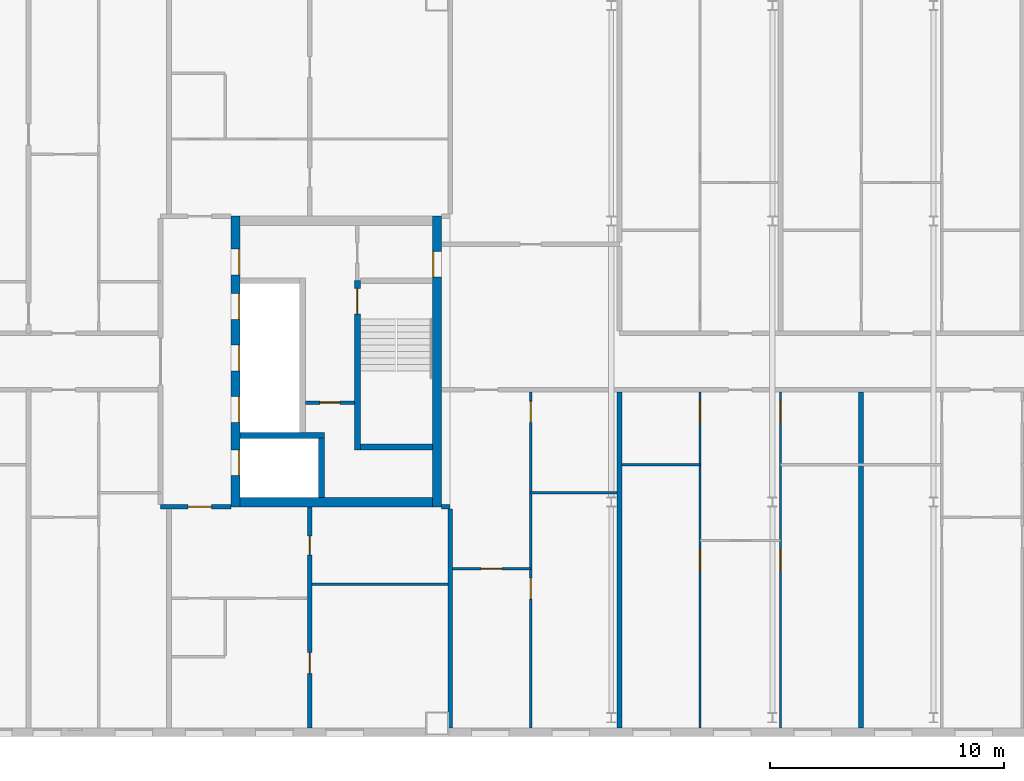
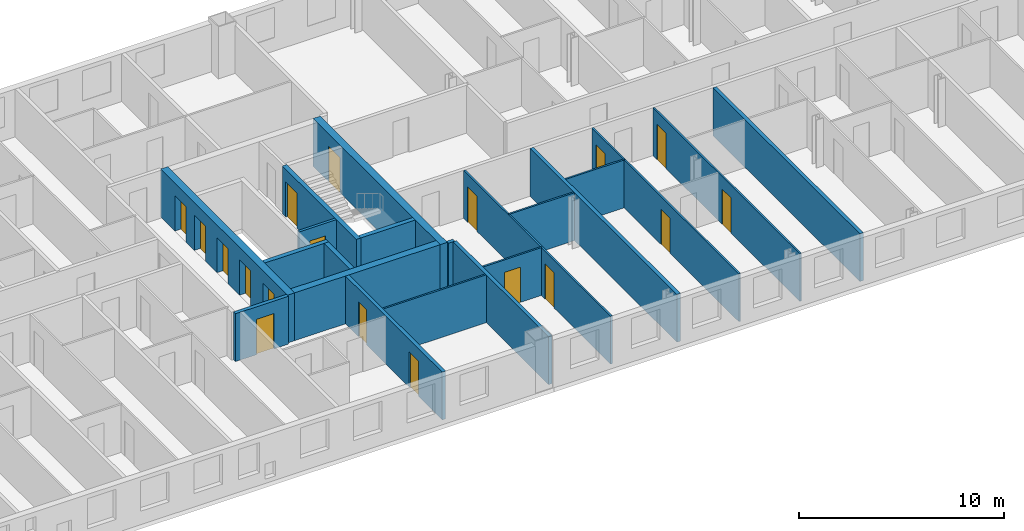
# One storey, part 8 of 19: 21 walls, 18 doors, 18 openings.
"""IFC4 building model written with IfcOpenShell, lengths in metres."""

from ifc_helpers import new_model, si_unit, direction, frame, frame_2d, origin, place, context, subcontext, project, spatial, rectangle, extrude, material, layer, layer_set, type_object, element, fill, save


model = new_model("IFC4")

# Units and contexts
model_context = context("Model", 3, precision=1e-05, world=origin(), true_north=direction((0.0, 1.0)))
body_context = subcontext(model_context, "Body", "Model", "MODEL_VIEW")
ifc_project = project(units=[si_unit("LENGTHUNIT", "METRE"), si_unit("AREAUNIT", "SQUARE_METRE"), si_unit("VOLUMEUNIT", "CUBIC_METRE"), si_unit("PLANEANGLEUNIT", "RADIAN"), si_unit("MASSUNIT", "GRAM", prefix="KILO")], contexts=[model_context])

# Site, building, storey
site_placement = place(None, origin())
site = spatial("IfcSite", under=ifc_project, at=site_placement, CompositionType="ELEMENT")
building_placement = place(site_placement, origin())
building = spatial("IfcBuilding", under=site, at=building_placement, Name="Tuart Gate Housing", CompositionType="ELEMENT")
storey_placement = place(building_placement, frame((0.0, 0.0, 224.5)))
storey = spatial("IfcBuildingStorey", under=building, at=storey_placement, Name="L63", CompositionType="ELEMENT", Elevation=224.5)

# Wall, opening, door
ifc_material_1 = material(Name="Plasterboard partition")
ifc_layer_1 = layer(ifc_material_1, 0.14990234375)
ifc_layer_set_1 = layer_set([ifc_layer_1], Name="Core partition 150")
wall_type_1 = type_object("IfcWallType", Name="Core partition 150", PredefinedType="PARTITIONING", material=ifc_layer_set_1)
wall_1_placement = place(storey_placement, frame((69.81494140625, 68.25, 0.0), z_axis=(0.0, 0.0, 1.0), x_axis=(1.0, 0.0, 0.0)))
wall_1 = element("IfcWall", 1, at=wall_1_placement, inside=storey, type_object=wall_type_1, Name="Core partition AG.3", PredefinedType="PARTITIONING", context=body_context, shape_type="SweptSolid", body=[
    extrude(rectangle(XDim=2.10009765625, YDim=0.14990234375, at=frame_2d((1.050048828125, 0.0))), origin(), (0.0, 0.0, 1.0), 2.85009765625),
])
opening_1_placement = place(wall_1_placement, frame((0.625, 0.0, 0.0)))
opening_1 = element("IfcOpeningElement", 2, at=opening_1_placement, cuts=wall_1, Name="Opening D2311", PredefinedType="OPENING", context=body_context, shape_type="SweptSolid", body=[
    extrude(rectangle(XDim=0.85009765625, YDim=2.10009765625, at=frame_2d((0.425048828125, 1.050048828125))), frame((0.0, 0.0849609375, 0.0), z_axis=(0.0, -1.0, 0.0), x_axis=(1.0, 0.0, 0.0)), (0.0, 0.0, 1.0), 0.169921875),
])
ifc_material_2 = material(Name="Steel fire door", Category="steel")
door_type_1 = type_object("IfcDoorType", Name="Riser door 850 x 2100 RH", OperationType="SINGLE_SWING_RIGHT", PredefinedType="DOOR", material=ifc_material_2)
door_1_placement = place(opening_1_placement, frame((0.85009765625, 0.0, 0.0), z_axis=(0.0, 0.0, 1.0), x_axis=(-1.0, 0.0, 0.0)))
door_1 = element("IfcDoor", 3, at=door_1_placement, inside=storey, type_object=door_type_1, Name="Service room door AG.E1", OperationType="SINGLE_SWING_RIGHT", OverallHeight=2.10009765625, OverallWidth=0.85009765625, PredefinedType="DOOR", context=body_context, shape_type="SweptSolid", body=[
    extrude(rectangle(XDim=0.85009765625, YDim=2.10009765625, at=frame_2d((0.425048828125, 1.050048828125))), frame((0.0, 0.025146484375, 0.0), z_axis=(0.0, -1.0, 0.0), x_axis=(1.0, 0.0, 0.0)), (0.0, 0.0, 1.0), 0.050048828125),
])
fill(opening_1, door_1)

# Walls
ifc_material_3 = material(Name="Concrete C40", Category="concrete")
ifc_layer_2 = layer(ifc_material_3, 0.25)
ifc_layer_set_2 = layer_set([ifc_layer_2], Name="Core wall 250 C40")
wall_type_2 = type_object("IfcWallType", Name="Core wall 250 C40", PredefinedType="SHEAR", material=ifc_layer_set_2)
wall_2_placement = place(storey_placement, frame((72.1650390625, 66.35009765625, 0.0), z_axis=(0.0, 0.0, 1.0), x_axis=(1.0, 0.0, 0.0)))
element("IfcWall", 4, at=wall_2_placement, inside=storey, type_object=wall_type_2, Name="Core wall AG.1", PredefinedType="SHEAR", context=body_context, shape_type="SweptSolid", body=[
    extrude(rectangle(XDim=3.074951171875, YDim=0.25, at=frame_2d((1.53759765625, 0.0))), origin(), (0.0, 0.0, 1.0), 2.85009765625),
])
wall_3_placement = place(storey_placement, frame((67.0400390625, 66.85009765625, 0.0), z_axis=(0.0, 0.0, 1.0), x_axis=(1.0, 0.0, 0.0)))
element("IfcWall", 5, at=wall_3_placement, inside=storey, type_object=wall_type_2, Name="Core wall AG.2", PredefinedType="SHEAR", context=body_context, shape_type="SweptSolid", body=[
    extrude(rectangle(XDim=3.594970703125, YDim=0.25, at=frame_2d((1.79736328125, 0.0))), origin(), (0.0, 0.0, 1.0), 2.85009765625),
])
wall_4_placement = place(storey_placement, frame((70.510009765625, 64.199951171875, 0.0), z_axis=(0.0, 0.0, 1.0), x_axis=(0.0, 1.0, 0.0)))
element("IfcWall", 6, at=wall_4_placement, inside=storey, type_object=wall_type_2, Name="Core wall AG.7", PredefinedType="SHEAR", context=body_context, shape_type="SweptSolid", body=[
    extrude(rectangle(XDim=2.525146484375, YDim=0.25, at=frame_2d((1.2626953125, 0.0))), origin(), (0.0, 0.0, 1.0), 2.85009765625),
])

# Wall, opening, door
wall_5_placement = place(storey_placement, frame((72.0400390625, 66.22509765625, 0.0), z_axis=(0.0, 0.0, 1.0), x_axis=(0.0, 1.0, 0.0)))
wall_5 = element("IfcWall", 7, at=wall_5_placement, inside=storey, type_object=wall_type_2, Name="Core wall AG.8", PredefinedType="SHEAR", context=body_context, shape_type="SweptSolid", body=[
    extrude(rectangle(XDim=7.224853515625, YDim=0.25, at=frame_2d((3.6123046875, 0.0))), origin(), (0.0, 0.0, 1.0), 2.85009765625),
])
opening_2_placement = place(wall_5_placement, frame((5.800048828125, 0.0, 0.0)))
opening_2 = element("IfcOpeningElement", 8, at=opening_2_placement, cuts=wall_5, Name="Opening D2307", PredefinedType="OPENING", context=body_context, shape_type="SweptSolid", body=[
    extrude(rectangle(XDim=1.10009765625, YDim=2.10009765625, at=frame_2d((0.550048828125, 1.050048828125))), frame((0.0, 0.135009765625, 0.0), z_axis=(0.0, -1.0, 0.0), x_axis=(1.0, 0.0, 0.0)), (0.0, 0.0, 1.0), 0.27001953125),
])
ifc_material_4 = material(Name="Steel fire door", Category="steel")
door_type_2 = type_object("IfcDoorType", Name="Stair door 1100 x 2100", OperationType="SINGLE_SWING_LEFT", PredefinedType="DOOR", material=ifc_material_4)
door_2_placement = place(opening_2_placement, frame((1.10009765625, 0.0, 0.0), z_axis=(0.0, 0.0, 1.0), x_axis=(-1.0, 0.0, 0.0)))
door_2 = element("IfcDoor", 9, at=door_2_placement, inside=storey, type_object=door_type_2, Name="Stair door AG.SD", OperationType="SINGLE_SWING_LEFT", OverallHeight=2.10009765625, OverallWidth=1.10009765625, PredefinedType="DOOR", context=body_context, shape_type="SweptSolid", body=[
    extrude(rectangle(XDim=1.10009765625, YDim=2.10009765625, at=frame_2d((0.550048828125, 1.050048828125))), frame((0.0, 0.025146484375, 0.0), z_axis=(0.0, -1.0, 0.0), x_axis=(1.0, 0.0, 0.0)), (0.0, 0.0, 1.0), 0.050048828125),
])
fill(opening_2, door_2)

# Wall, openings, doors
ifc_material_5 = material(Name="Concrete C40", Category="concrete")
ifc_layer_3 = layer(ifc_material_5, 0.39990234375)
ifc_layer_set_3 = layer_set([ifc_layer_3], Name="Core wall 400 C40")
wall_type_3 = type_object("IfcWallType", Name="Core wall 400 C40", PredefinedType="SHEAR", material=ifc_layer_set_3)
wall_6_placement = place(storey_placement, frame((66.840087890625, 63.800048828125, 0.0), z_axis=(0.0, 0.0, 1.0), x_axis=(0.0, 1.0, 0.0)))
wall_6 = element("IfcWall", 10, at=wall_6_placement, inside=storey, type_object=wall_type_3, Name="Core wall AG front", PredefinedType="SHEAR", context=body_context, shape_type="SweptSolid", body=[
    extrude(rectangle(XDim=12.39990234375, YDim=0.39990234375, at=frame_2d((6.199951171875, 0.0))), origin(), (0.0, 0.0, 1.0), 2.85009765625),
])
opening_3_placement = place(wall_6_placement, frame((1.324951171875, 0.0, 0.0)))
opening_3 = element("IfcOpeningElement", 11, at=opening_3_placement, cuts=wall_6, Name="Opening LD-FA1", PredefinedType="OPENING", context=body_context, shape_type="SweptSolid", body=[
    extrude(rectangle(XDim=1.10009765625, YDim=2.10009765625, at=frame_2d((0.550048828125, 1.050048828125))), frame((0.0, 0.2099609375, 0.0), z_axis=(0.0, -1.0, 0.0), x_axis=(1.0, 0.0, 0.0)), (0.0, 0.0, 1.0), 0.419921875),
])
opening_4_placement = place(wall_6_placement, frame((3.60009765625, 0.0, 0.0)))
opening_4 = element("IfcOpeningElement", 12, at=opening_4_placement, cuts=wall_6, Name="Opening LD-LA1", PredefinedType="OPENING", context=body_context, shape_type="SweptSolid", body=[
    extrude(rectangle(XDim=1.10009765625, YDim=2.10009765625, at=frame_2d((0.550048828125, 1.050048828125))), frame((0.0, 0.2099609375, 0.0), z_axis=(0.0, -1.0, 0.0), x_axis=(1.0, 0.0, 0.0)), (0.0, 0.0, 1.0), 0.419921875),
])
opening_5_placement = place(wall_6_placement, frame((5.800048828125, 0.0, 0.0)))
opening_5 = element("IfcOpeningElement", 13, at=opening_5_placement, cuts=wall_6, Name="Opening LD-LA2", PredefinedType="OPENING", context=body_context, shape_type="SweptSolid", body=[
    extrude(rectangle(XDim=1.10009765625, YDim=2.10009765625, at=frame_2d((0.550048828125, 1.050048828125))), frame((0.0, 0.2099609375, 0.0), z_axis=(0.0, -1.0, 0.0), x_axis=(1.0, 0.0, 0.0)), (0.0, 0.0, 1.0), 0.419921875),
])
opening_6_placement = place(wall_6_placement, frame((8.0, 0.0, 0.0)))
opening_6 = element("IfcOpeningElement", 14, at=opening_6_placement, cuts=wall_6, Name="Opening LD-LA3", PredefinedType="OPENING", context=body_context, shape_type="SweptSolid", body=[
    extrude(rectangle(XDim=1.10009765625, YDim=2.10009765625, at=frame_2d((0.550048828125, 1.050048828125))), frame((0.0, 0.2099609375, 0.0), z_axis=(0.0, -1.0, 0.0), x_axis=(1.0, 0.0, 0.0)), (0.0, 0.0, 1.0), 0.419921875),
])
opening_7_placement = place(wall_6_placement, frame((9.89990234375, 0.0, 0.0)))
opening_7 = element("IfcOpeningElement", 15, at=opening_7_placement, cuts=wall_6, Name="Opening D2305", PredefinedType="OPENING", context=body_context, shape_type="SweptSolid", body=[
    extrude(rectangle(XDim=1.10009765625, YDim=2.10009765625, at=frame_2d((0.550048828125, 1.050048828125))), frame((0.0, 0.2099609375, 0.0), z_axis=(0.0, -1.0, 0.0), x_axis=(1.0, 0.0, 0.0)), (0.0, 0.0, 1.0), 0.419921875),
])
ifc_material_6 = material(Name="Stainless steel", Category="steel")
door_type_3 = type_object("IfcDoorType", Name="Landing door 1100 x 2100", OperationType="DOUBLE_DOOR_SLIDING", PredefinedType="DOOR", material=ifc_material_6)
door_3_placement = place(opening_3_placement, origin())
door_3 = element("IfcDoor", 16, at=door_3_placement, inside=storey, type_object=door_type_3, Name="Lift landing door FA1", OperationType="DOUBLE_DOOR_SLIDING", OverallHeight=2.10009765625, OverallWidth=1.10009765625, PredefinedType="DOOR", context=body_context, shape_type="SweptSolid", body=[
    extrude(rectangle(XDim=1.10009765625, YDim=2.10009765625, at=frame_2d((0.550048828125, 1.050048828125))), frame((0.0, -0.134765625, 0.0), z_axis=(0.0, -1.0, 0.0), x_axis=(1.0, 0.0, 0.0)), (0.0, 0.0, 1.0), 0.050048828125),
])
fill(opening_3, door_3)
door_4_placement = place(opening_4_placement, origin())
door_4 = element("IfcDoor", 17, at=door_4_placement, inside=storey, type_object=door_type_3, Name="Lift landing door LA1", OperationType="DOUBLE_DOOR_SLIDING", OverallHeight=2.10009765625, OverallWidth=1.10009765625, PredefinedType="DOOR", context=body_context, shape_type="SweptSolid", body=[
    extrude(rectangle(XDim=1.10009765625, YDim=2.10009765625, at=frame_2d((0.550048828125, 1.050048828125))), frame((0.0, -0.134765625, 0.0), z_axis=(0.0, -1.0, 0.0), x_axis=(1.0, 0.0, 0.0)), (0.0, 0.0, 1.0), 0.050048828125),
])
fill(opening_4, door_4)
door_5_placement = place(opening_5_placement, origin())
door_5 = element("IfcDoor", 18, at=door_5_placement, inside=storey, type_object=door_type_3, Name="Lift landing door LA2", OperationType="DOUBLE_DOOR_SLIDING", OverallHeight=2.10009765625, OverallWidth=1.10009765625, PredefinedType="DOOR", context=body_context, shape_type="SweptSolid", body=[
    extrude(rectangle(XDim=1.10009765625, YDim=2.10009765625, at=frame_2d((0.550048828125, 1.050048828125))), frame((0.0, -0.134765625, 0.0), z_axis=(0.0, -1.0, 0.0), x_axis=(1.0, 0.0, 0.0)), (0.0, 0.0, 1.0), 0.050048828125),
])
fill(opening_5, door_5)
door_6_placement = place(opening_6_placement, origin())
door_6 = element("IfcDoor", 19, at=door_6_placement, inside=storey, type_object=door_type_3, Name="Lift landing door LA3", OperationType="DOUBLE_DOOR_SLIDING", OverallHeight=2.10009765625, OverallWidth=1.10009765625, PredefinedType="DOOR", context=body_context, shape_type="SweptSolid", body=[
    extrude(rectangle(XDim=1.10009765625, YDim=2.10009765625, at=frame_2d((0.550048828125, 1.050048828125))), frame((0.0, -0.134765625, 0.0), z_axis=(0.0, -1.0, 0.0), x_axis=(1.0, 0.0, 0.0)), (0.0, 0.0, 1.0), 0.050048828125),
])
fill(opening_6, door_6)
ifc_material_7 = material(Name="Steel fire door", Category="steel")
door_type_4 = type_object("IfcDoorType", Name="Lobby door 1100 x 2100 RH", OperationType="SINGLE_SWING_RIGHT", PredefinedType="DOOR", material=ifc_material_7)
door_7_placement = place(opening_7_placement, frame((1.10009765625, 0.0, 0.0), z_axis=(0.0, 0.0, 1.0), x_axis=(-1.0, 0.0, 0.0)))
door_7 = element("IfcDoor", 20, at=door_7_placement, inside=storey, type_object=door_type_4, Name="Lobby entry door AG.EN", OperationType="SINGLE_SWING_RIGHT", OverallHeight=2.10009765625, OverallWidth=1.10009765625, PredefinedType="DOOR", context=body_context, shape_type="SweptSolid", body=[
    extrude(rectangle(XDim=1.10009765625, YDim=2.10009765625, at=frame_2d((0.550048828125, 1.050048828125))), frame((0.0, 0.184814453125, 0.0), z_axis=(0.0, -1.0, 0.0), x_axis=(1.0, 0.0, 0.0)), (0.0, 0.0, 1.0), 0.050048828125),
])
fill(opening_7, door_7)

# Wall, opening, door
wall_7_placement = place(storey_placement, frame((75.43994140625, 63.800048828125, 0.0), z_axis=(0.0, 0.0, 1.0), x_axis=(0.0, 1.0, 0.0)))
wall_7 = element("IfcWall", 21, at=wall_7_placement, inside=storey, type_object=wall_type_3, Name="Core wall AG back", PredefinedType="SHEAR", context=body_context, shape_type="SweptSolid", body=[
    extrude(rectangle(XDim=12.39990234375, YDim=0.39990234375, at=frame_2d((6.199951171875, 0.0))), origin(), (0.0, 0.0, 1.0), 2.85009765625),
])
opening_8_placement = place(wall_7_placement, frame((9.800048828125, 0.0, 0.0)))
opening_8 = element("IfcOpeningElement", 22, at=opening_8_placement, cuts=wall_7, Name="Opening D2306", PredefinedType="OPENING", context=body_context, shape_type="SweptSolid", body=[
    extrude(rectangle(XDim=1.10009765625, YDim=2.10009765625, at=frame_2d((0.550048828125, 1.050048828125))), frame((0.0, 0.2099609375, 0.0), z_axis=(0.0, -1.0, 0.0), x_axis=(1.0, 0.0, 0.0)), (0.0, 0.0, 1.0), 0.419921875),
])
ifc_material_8 = material(Name="Steel fire door", Category="steel")
door_type_5 = type_object("IfcDoorType", Name="Lobby door 1100 x 2100", OperationType="SINGLE_SWING_LEFT", PredefinedType="DOOR", material=ifc_material_8)
door_8_placement = place(opening_8_placement, origin())
door_8 = element("IfcDoor", 23, at=door_8_placement, inside=storey, type_object=door_type_5, Name="Link door AG.LK", OperationType="SINGLE_SWING_LEFT", OverallHeight=2.10009765625, OverallWidth=1.10009765625, PredefinedType="DOOR", context=body_context, shape_type="SweptSolid", body=[
    extrude(rectangle(XDim=1.10009765625, YDim=2.10009765625, at=frame_2d((0.550048828125, 1.050048828125))), frame((0.0, 0.18505859375, 0.0), z_axis=(0.0, -1.0, 0.0), x_axis=(1.0, 0.0, 0.0)), (0.0, 0.0, 1.0), 0.050048828125),
])
fill(opening_8, door_8)

# Wall
wall_8_placement = place(storey_placement, frame((67.0400390625, 64.0, 0.0), z_axis=(0.0, 0.0, 1.0), x_axis=(1.0, 0.0, 0.0)))
element("IfcWall", 24, at=wall_8_placement, inside=storey, type_object=wall_type_3, Name="Core wall AG south", PredefinedType="SHEAR", context=body_context, shape_type="SweptSolid", body=[
    extrude(rectangle(XDim=8.199951171875, YDim=0.39990234375, at=frame_2d((4.10009765625, 0.0))), origin(), (0.0, 0.0, 1.0), 2.85009765625),
])

# Wall, opening, door
ifc_material_9 = material(Name="Concrete masonry 15 MPa", Category="masonry")
ifc_layer_4 = layer(ifc_material_9, 0.199951171875)
ifc_layer_set_4 = layer_set([ifc_layer_4], Name="Enclosure wall masonry 200")
wall_type_4 = type_object("IfcWallType", Name="Enclosure wall masonry 200", PredefinedType="PARTITIONING", material=ifc_layer_set_4)
wall_9_placement = place(storey_placement, frame((63.639892578125, 63.800048828125, 0.0), z_axis=(0.0, 0.0, 1.0), x_axis=(1.0, 0.0, 0.0)))
wall_9 = element("IfcWall", 25, at=wall_9_placement, inside=storey, type_object=wall_type_4, Name="Enclosure wall masonry 200", PredefinedType="PARTITIONING", context=body_context, shape_type="SweptSolid", body=[
    extrude(rectangle(XDim=3.0, YDim=0.199951171875, at=frame_2d((1.5, 0.0))), origin(), (0.0, 0.0, 1.0), 2.85009765625),
])
opening_9_placement = place(wall_9_placement, frame((1.179931640625, 0.0, 0.0)))
opening_9 = element("IfcOpeningElement", 26, at=opening_9_placement, cuts=wall_9, Name="Opening D2314", PredefinedType="OPENING", context=body_context, shape_type="SweptSolid", body=[
    extrude(rectangle(XDim=1.0, YDim=2.10009765625, at=frame_2d((0.5, 1.050048828125))), frame((0.0, 0.10986328125, 0.0), z_axis=(0.0, -1.0, 0.0), x_axis=(1.0, 0.0, 0.0)), (0.0, 0.0, 1.0), 0.219970703125),
])
ifc_material_10 = material(Name="Timber door leaf in steel frame", Category="steel")
door_type_6 = type_object("IfcDoorType", Name="Flat entrance door 1000 RH", OperationType="SINGLE_SWING_RIGHT", PredefinedType="DOOR", material=ifc_material_10)
door_9_placement = place(opening_9_placement, frame((1.0, 0.0, 0.0), z_axis=(0.0, 0.0, 1.0), x_axis=(-1.0, 0.0, 0.0)))
door_9 = element("IfcDoor", 27, at=door_9_placement, inside=storey, type_object=door_type_6, Name="Flat entrance door", OperationType="SINGLE_SWING_RIGHT", OverallHeight=2.10009765625, OverallWidth=1.0, PredefinedType="DOOR", context=body_context, shape_type="SweptSolid", body=[
    extrude(rectangle(XDim=1.0, YDim=2.10009765625, at=frame_2d((0.5, 1.050048828125))), frame((0.0, 0.025146484375, 0.0), z_axis=(0.0, -1.0, 0.0), x_axis=(1.0, 0.0, 0.0)), (0.0, 0.0, 1.0), 0.050048828125),
])
fill(opening_9, door_9)

# Wall
ifc_material_11 = material(Name="Gypsum board on steel studs", Category="steel")
ifc_layer_5 = layer(ifc_material_11, 0.10009765625)
ifc_layer_set_5 = layer_set([ifc_layer_5], Name="Partition 100")
wall_type_5 = type_object("IfcWallType", Name="Partition 100", PredefinedType="PARTITIONING", material=ifc_layer_set_5)
wall_10_placement = place(storey_placement, frame((70.10009765625, 60.5, 0.0), z_axis=(0.0, 0.0, 1.0), x_axis=(1.0, 0.0, 0.0)))
element("IfcWall", 28, at=wall_10_placement, inside=storey, type_object=wall_type_5, Name="Partition 100", PredefinedType="PARTITIONING", context=body_context, shape_type="SweptSolid", body=[
    extrude(rectangle(XDim=5.7998046875, YDim=0.10009765625, at=frame_2d((2.89990234375, 0.0))), origin(), (0.0, 0.0, 1.0), 2.85009765625),
])

# Wall, opening, door
wall_11_placement = place(storey_placement, frame((76.10009765625, 61.159912109375, 0.0), z_axis=(0.0, 0.0, 1.0), x_axis=(1.0, 0.0, 0.0)))
wall_11 = element("IfcWall", 29, at=wall_11_placement, inside=storey, type_object=wall_type_5, Name="Partition 100", PredefinedType="PARTITIONING", context=body_context, shape_type="SweptSolid", body=[
    extrude(rectangle(XDim=3.337890625, YDim=0.10009765625, at=frame_2d((1.6689453125, 0.0))), origin(), (0.0, 0.0, 1.0), 2.85009765625),
])
opening_10_placement = place(wall_11_placement, frame((1.218994140625, 0.0, 0.0)))
opening_10 = element("IfcOpeningElement", 30, at=opening_10_placement, cuts=wall_11, Name="Opening D2388", PredefinedType="OPENING", context=body_context, shape_type="SweptSolid", body=[
    extrude(rectangle(XDim=0.89990234375, YDim=2.10009765625, at=frame_2d((0.449951171875, 1.050048828125))), frame((0.0, 0.06005859375, 0.0), z_axis=(0.0, -1.0, 0.0), x_axis=(1.0, 0.0, 0.0)), (0.0, 0.0, 1.0), 0.1201171875),
])
ifc_material_12 = material(Name="Timber door leaf in steel frame", Category="steel")
door_type_7 = type_object("IfcDoorType", Name="Internal door 900 RH", OperationType="SINGLE_SWING_RIGHT", PredefinedType="DOOR", material=ifc_material_12)
door_10_placement = place(opening_10_placement, origin())
door_10 = element("IfcDoor", 31, at=door_10_placement, inside=storey, type_object=door_type_7, Name="Internal door", OperationType="SINGLE_SWING_RIGHT", OverallHeight=2.10009765625, OverallWidth=0.89990234375, PredefinedType="DOOR", context=body_context, shape_type="SweptSolid", body=[
    extrude(rectangle(XDim=0.89990234375, YDim=2.10009765625, at=frame_2d((0.449951171875, 1.050048828125))), frame((0.0, 0.02490234375, 0.0), z_axis=(0.0, -1.0, 0.0), x_axis=(1.0, 0.0, 0.0)), (0.0, 0.0, 1.0), 0.050048828125),
])
fill(opening_10, door_10)

# Walls
wall_12_placement = place(storey_placement, frame((79.43798828125, 64.39990234375, 0.0), z_axis=(0.0, 0.0, 1.0), x_axis=(1.0, 0.0, 0.0)))
element("IfcWall", 32, at=wall_12_placement, inside=storey, type_object=wall_type_5, Name="Partition 100", PredefinedType="PARTITIONING", context=body_context, shape_type="SweptSolid", body=[
    extrude(rectangle(XDim=3.68701171875, YDim=0.10009765625, at=frame_2d((1.843505859375, 0.0))), origin(), (0.0, 0.0, 1.0), 2.85009765625),
])
wall_13_placement = place(storey_placement, frame((83.324951171875, 65.60009765625, 0.0), z_axis=(0.0, 0.0, 1.0), x_axis=(1.0, 0.0, 0.0)))
element("IfcWall", 33, at=wall_13_placement, inside=storey, type_object=wall_type_5, Name="Partition 100", PredefinedType="PARTITIONING", context=body_context, shape_type="SweptSolid", body=[
    extrude(rectangle(XDim=3.337158203125, YDim=0.10009765625, at=frame_2d((1.66845703125, 0.0))), origin(), (0.0, 0.0, 1.0), 2.85009765625),
])

# Wall, openings, doors
wall_14_placement = place(storey_placement, frame((79.43798828125, 54.360107421875, 0.0), z_axis=(0.0, 0.0, 1.0), x_axis=(0.0, 1.0, 0.0)))
wall_14 = element("IfcWall", 34, at=wall_14_placement, inside=storey, type_object=wall_type_5, Name="Partition 100", PredefinedType="PARTITIONING", context=body_context, shape_type="SweptSolid", body=[
    extrude(rectangle(XDim=14.33984375, YDim=0.10009765625, at=frame_2d((7.169921875, 0.0))), origin(), (0.0, 0.0, 1.0), 2.85009765625),
])
opening_11_placement = place(wall_14_placement, frame((5.5, 0.0, 0.0)))
opening_11 = element("IfcOpeningElement", 35, at=opening_11_placement, cuts=wall_14, Name="Opening D2371", PredefinedType="OPENING", context=body_context, shape_type="SweptSolid", body=[
    extrude(rectangle(XDim=0.89990234375, YDim=2.10009765625, at=frame_2d((0.449951171875, 1.050048828125))), frame((0.0, 0.06005859375, 0.0), z_axis=(0.0, -1.0, 0.0), x_axis=(1.0, 0.0, 0.0)), (0.0, 0.0, 1.0), 0.1201171875),
])
opening_12_placement = place(wall_14_placement, frame((13.0400390625, 0.0, 0.0)))
opening_12 = element("IfcOpeningElement", 36, at=opening_12_placement, cuts=wall_14, Name="Opening D2370", PredefinedType="OPENING", context=body_context, shape_type="SweptSolid", body=[
    extrude(rectangle(XDim=0.89990234375, YDim=2.10009765625, at=frame_2d((0.449951171875, 1.050048828125))), frame((0.0, 0.06005859375, 0.0), z_axis=(0.0, -1.0, 0.0), x_axis=(1.0, 0.0, 0.0)), (0.0, 0.0, 1.0), 0.1201171875),
])
ifc_material_13 = material(Name="Timber door leaf in steel frame", Category="steel")
door_type_8 = type_object("IfcDoorType", Name="Bathroom door 900", OperationType="SINGLE_SWING_LEFT", PredefinedType="DOOR", material=ifc_material_13)
door_11_placement = place(opening_12_placement, frame((0.89990234375, 0.0, 0.0), z_axis=(0.0, 0.0, 1.0), x_axis=(-1.0, 0.0, 0.0)))
door_11 = element("IfcDoor", 37, at=door_11_placement, inside=storey, type_object=door_type_8, Name="Bathroom door", OperationType="SINGLE_SWING_LEFT", OverallHeight=2.10009765625, OverallWidth=0.89990234375, PredefinedType="DOOR", context=body_context, shape_type="SweptSolid", body=[
    extrude(rectangle(XDim=0.89990234375, YDim=2.10009765625, at=frame_2d((0.449951171875, 1.050048828125))), frame((0.0, 0.025146484375, 0.0), z_axis=(0.0, -1.0, 0.0), x_axis=(1.0, 0.0, 0.0)), (0.0, 0.0, 1.0), 0.050048828125),
])
fill(opening_12, door_11)
ifc_material_14 = material(Name="Timber door leaf in steel frame", Category="steel")
door_type_9 = type_object("IfcDoorType", Name="Internal door 900", OperationType="SINGLE_SWING_LEFT", PredefinedType="DOOR", material=ifc_material_14)
door_12_placement = place(opening_11_placement, frame((0.89990234375, 0.0, 0.0), z_axis=(0.0, 0.0, 1.0), x_axis=(-1.0, 0.0, 0.0)))
door_12 = element("IfcDoor", 38, at=door_12_placement, inside=storey, type_object=door_type_9, Name="Internal door", OperationType="SINGLE_SWING_LEFT", OverallHeight=2.10009765625, OverallWidth=0.89990234375, PredefinedType="DOOR", context=body_context, shape_type="SweptSolid", body=[
    extrude(rectangle(XDim=0.89990234375, YDim=2.10009765625, at=frame_2d((0.449951171875, 1.050048828125))), frame((0.0, 0.025146484375, 0.0), z_axis=(0.0, -1.0, 0.0), x_axis=(1.0, 0.0, 0.0)), (0.0, 0.0, 1.0), 0.050048828125),
])
fill(opening_11, door_12)

wall_15_placement = place(storey_placement, frame((86.662109375, 54.360107421875, 0.0), z_axis=(0.0, 0.0, 1.0), x_axis=(0.0, 1.0, 0.0)))
wall_15 = element("IfcWall", 39, at=wall_15_placement, inside=storey, type_object=wall_type_5, Name="Partition 100", PredefinedType="PARTITIONING", context=body_context, shape_type="SweptSolid", body=[
    extrude(rectangle(XDim=14.33984375, YDim=0.10009765625, at=frame_2d((7.169921875, 0.0))), origin(), (0.0, 0.0, 1.0), 2.85009765625),
])
opening_13_placement = place(wall_15_placement, frame((6.699951171875, 0.0, 0.0)))
opening_13 = element("IfcOpeningElement", 40, at=opening_13_placement, cuts=wall_15, Name="Opening D2373", PredefinedType="OPENING", context=body_context, shape_type="SweptSolid", body=[
    extrude(rectangle(XDim=0.89990234375, YDim=2.10009765625, at=frame_2d((0.449951171875, 1.050048828125))), frame((0.0, 0.06005859375, 0.0), z_axis=(0.0, -1.0, 0.0), x_axis=(1.0, 0.0, 0.0)), (0.0, 0.0, 1.0), 0.1201171875),
])
opening_14_placement = place(wall_15_placement, frame((13.0400390625, 0.0, 0.0)))
opening_14 = element("IfcOpeningElement", 41, at=opening_14_placement, cuts=wall_15, Name="Opening D2372", PredefinedType="OPENING", context=body_context, shape_type="SweptSolid", body=[
    extrude(rectangle(XDim=0.89990234375, YDim=2.10009765625, at=frame_2d((0.449951171875, 1.050048828125))), frame((0.0, 0.06005859375, 0.0), z_axis=(0.0, -1.0, 0.0), x_axis=(1.0, 0.0, 0.0)), (0.0, 0.0, 1.0), 0.1201171875),
])
ifc_material_15 = material(Name="Timber door leaf in steel frame", Category="steel")
door_type_10 = type_object("IfcDoorType", Name="Bathroom door 900 RH", OperationType="SINGLE_SWING_RIGHT", PredefinedType="DOOR", material=ifc_material_15)
door_13_placement = place(opening_14_placement, origin())
door_13 = element("IfcDoor", 42, at=door_13_placement, inside=storey, type_object=door_type_10, Name="Bathroom door", OperationType="SINGLE_SWING_RIGHT", OverallHeight=2.10009765625, OverallWidth=0.89990234375, PredefinedType="DOOR", context=body_context, shape_type="SweptSolid", body=[
    extrude(rectangle(XDim=0.89990234375, YDim=2.10009765625, at=frame_2d((0.449951171875, 1.050048828125))), frame((0.0, 0.02490234375, 0.0), z_axis=(0.0, -1.0, 0.0), x_axis=(1.0, 0.0, 0.0)), (0.0, 0.0, 1.0), 0.050048828125),
])
fill(opening_14, door_13)
door_14_placement = place(opening_13_placement, origin())
door_14 = element("IfcDoor", 43, at=door_14_placement, inside=storey, type_object=door_type_7, Name="Internal door", OperationType="SINGLE_SWING_RIGHT", OverallHeight=2.10009765625, OverallWidth=0.89990234375, PredefinedType="DOOR", context=body_context, shape_type="SweptSolid", body=[
    extrude(rectangle(XDim=0.89990234375, YDim=2.10009765625, at=frame_2d((0.449951171875, 1.050048828125))), frame((0.0, 0.02490234375, 0.0), z_axis=(0.0, -1.0, 0.0), x_axis=(1.0, 0.0, 0.0)), (0.0, 0.0, 1.0), 0.050048828125),
])
fill(opening_13, door_14)

wall_16_placement = place(storey_placement, frame((90.10009765625, 54.360107421875, 0.0), z_axis=(0.0, 0.0, 1.0), x_axis=(0.0, 1.0, 0.0)))
wall_16 = element("IfcWall", 44, at=wall_16_placement, inside=storey, type_object=wall_type_5, Name="Partition 100", PredefinedType="PARTITIONING", context=body_context, shape_type="SweptSolid", body=[
    extrude(rectangle(XDim=14.33984375, YDim=0.10009765625, at=frame_2d((7.169921875, 0.0))), origin(), (0.0, 0.0, 1.0), 2.85009765625),
])
opening_15_placement = place(wall_16_placement, frame((6.699951171875, 0.0, 0.0)))
opening_15 = element("IfcOpeningElement", 45, at=opening_15_placement, cuts=wall_16, Name="Opening D2375", PredefinedType="OPENING", context=body_context, shape_type="SweptSolid", body=[
    extrude(rectangle(XDim=0.89990234375, YDim=2.10009765625, at=frame_2d((0.449951171875, 1.050048828125))), frame((0.0, 0.06005859375, 0.0), z_axis=(0.0, -1.0, 0.0), x_axis=(1.0, 0.0, 0.0)), (0.0, 0.0, 1.0), 0.1201171875),
])
opening_16_placement = place(wall_16_placement, frame((13.0400390625, 0.0, 0.0)))
opening_16 = element("IfcOpeningElement", 46, at=opening_16_placement, cuts=wall_16, Name="Opening D2374", PredefinedType="OPENING", context=body_context, shape_type="SweptSolid", body=[
    extrude(rectangle(XDim=0.89990234375, YDim=2.10009765625, at=frame_2d((0.449951171875, 1.050048828125))), frame((0.0, 0.06005859375, 0.0), z_axis=(0.0, -1.0, 0.0), x_axis=(1.0, 0.0, 0.0)), (0.0, 0.0, 1.0), 0.1201171875),
])
door_15_placement = place(opening_16_placement, frame((0.89990234375, 0.0, 0.0), z_axis=(0.0, 0.0, 1.0), x_axis=(-1.0, 0.0, 0.0)))
door_15 = element("IfcDoor", 47, at=door_15_placement, inside=storey, type_object=door_type_8, Name="Bathroom door", OperationType="SINGLE_SWING_LEFT", OverallHeight=2.10009765625, OverallWidth=0.89990234375, PredefinedType="DOOR", context=body_context, shape_type="SweptSolid", body=[
    extrude(rectangle(XDim=0.89990234375, YDim=2.10009765625, at=frame_2d((0.449951171875, 1.050048828125))), frame((0.0, 0.025146484375, 0.0), z_axis=(0.0, -1.0, 0.0), x_axis=(1.0, 0.0, 0.0)), (0.0, 0.0, 1.0), 0.050048828125),
])
fill(opening_16, door_15)
door_16_placement = place(opening_15_placement, frame((0.89990234375, 0.0, 0.0), z_axis=(0.0, 0.0, 1.0), x_axis=(-1.0, 0.0, 0.0)))
door_16 = element("IfcDoor", 48, at=door_16_placement, inside=storey, type_object=door_type_9, Name="Internal door", OperationType="SINGLE_SWING_LEFT", OverallHeight=2.10009765625, OverallWidth=0.89990234375, PredefinedType="DOOR", context=body_context, shape_type="SweptSolid", body=[
    extrude(rectangle(XDim=0.89990234375, YDim=2.10009765625, at=frame_2d((0.449951171875, 1.050048828125))), frame((0.0, 0.025146484375, 0.0), z_axis=(0.0, -1.0, 0.0), x_axis=(1.0, 0.0, 0.0)), (0.0, 0.0, 1.0), 0.050048828125),
])
fill(opening_15, door_16)

ifc_material_16 = material(Name="Concrete C40", Category="concrete")
ifc_layer_6 = layer(ifc_material_16, 0.199951171875)
ifc_layer_set_6 = layer_set([ifc_layer_6], Name="Party wall concrete C40 200")
wall_type_6 = type_object("IfcWallType", Name="Party wall concrete C40 200", PredefinedType="SOLIDWALL", material=ifc_layer_set_6)
wall_17_placement = place(storey_placement, frame((70.0, 54.360107421875, 0.0), z_axis=(0.0, 0.0, 1.0), x_axis=(0.0, 1.0, 0.0)))
wall_17 = element("IfcWall", 49, at=wall_17_placement, inside=storey, type_object=wall_type_6, Name="Party wall concrete C40 200", PredefinedType="SOLIDWALL", context=body_context, shape_type="SweptSolid", body=[
    extrude(rectangle(XDim=9.43994140625, YDim=0.199951171875, at=frame_2d((4.719970703125, 0.0))), origin(), (0.0, 0.0, 1.0), 2.85009765625),
])
opening_17_placement = place(wall_17_placement, frame((2.320068359375, 0.0, 0.0)))
opening_17 = element("IfcOpeningElement", 50, at=opening_17_placement, cuts=wall_17, Name="Opening D2331", PredefinedType="OPENING", context=body_context, shape_type="SweptSolid", body=[
    extrude(rectangle(XDim=0.89990234375, YDim=2.10009765625, at=frame_2d((0.449951171875, 1.050048828125))), frame((0.0, 0.10986328125, 0.0), z_axis=(0.0, -1.0, 0.0), x_axis=(1.0, 0.0, 0.0)), (0.0, 0.0, 1.0), 0.219970703125),
])
opening_18_placement = place(wall_17_placement, frame((7.389892578125, 0.0, 0.0)))
opening_18 = element("IfcOpeningElement", 51, at=opening_18_placement, cuts=wall_17, Name="Opening D2332", PredefinedType="OPENING", context=body_context, shape_type="SweptSolid", body=[
    extrude(rectangle(XDim=0.800048828125, YDim=2.10009765625, at=frame_2d((0.39990234375, 1.050048828125))), frame((0.0, 0.10986328125, 0.0), z_axis=(0.0, -1.0, 0.0), x_axis=(1.0, 0.0, 0.0)), (0.0, 0.0, 1.0), 0.219970703125),
])
door_17_placement = place(opening_17_placement, frame((0.89990234375, 0.0, 0.0), z_axis=(0.0, 0.0, 1.0), x_axis=(-1.0, 0.0, 0.0)))
door_17 = element("IfcDoor", 52, at=door_17_placement, inside=storey, type_object=door_type_7, Name="Internal door", OperationType="SINGLE_SWING_RIGHT", OverallHeight=2.10009765625, OverallWidth=0.89990234375, PredefinedType="DOOR", context=body_context, shape_type="SweptSolid", body=[
    extrude(rectangle(XDim=0.89990234375, YDim=2.10009765625, at=frame_2d((0.449951171875, 1.050048828125))), frame((0.0, 0.025146484375, 0.0), z_axis=(0.0, -1.0, 0.0), x_axis=(1.0, 0.0, 0.0)), (0.0, 0.0, 1.0), 0.050048828125),
])
fill(opening_17, door_17)
ifc_material_17 = material(Name="Timber door leaf in steel frame", Category="steel")
door_type_11 = type_object("IfcDoorType", Name="Store door 800 RH", OperationType="SINGLE_SWING_RIGHT", PredefinedType="DOOR", material=ifc_material_17)
door_18_placement = place(opening_18_placement, frame((0.800048828125, 0.0, 0.0), z_axis=(0.0, 0.0, 1.0), x_axis=(-1.0, 0.0, 0.0)))
door_18 = element("IfcDoor", 53, at=door_18_placement, inside=storey, type_object=door_type_11, Name="Store door", OperationType="SINGLE_SWING_RIGHT", OverallHeight=2.10009765625, OverallWidth=0.800048828125, PredefinedType="DOOR", context=body_context, shape_type="SweptSolid", body=[
    extrude(rectangle(XDim=0.800048828125, YDim=2.10009765625, at=frame_2d((0.400146484375, 1.050048828125))), frame((0.0, 0.025146484375, 0.0), z_axis=(0.0, -1.0, 0.0), x_axis=(1.0, 0.0, 0.0)), (0.0, 0.0, 1.0), 0.050048828125),
])
fill(opening_18, door_18)

# Walls
ifc_material_18 = material(Name="Concrete masonry 15 MPa", Category="masonry")
ifc_layer_7 = layer(ifc_material_18, 0.199951171875)
ifc_layer_set_7 = layer_set([ifc_layer_7], Name="Party wall masonry 200")
wall_type_7 = type_object("IfcWallType", Name="Party wall masonry 200", PredefinedType="PARTITIONING", material=ifc_layer_set_7)
wall_18_placement = place(storey_placement, frame((75.639892578125, 63.800048828125, 0.0), z_axis=(0.0, 0.0, 1.0), x_axis=(1.0, 0.0, 0.0)))
element("IfcWall", 54, at=wall_18_placement, inside=storey, type_object=wall_type_7, Name="Party wall masonry 200", PredefinedType="PARTITIONING", context=body_context, shape_type="SweptSolid", body=[
    extrude(rectangle(XDim=0.360107421875, YDim=0.199951171875, at=frame_2d((0.18017578125, 0.0))), origin(), (0.0, 0.0, 1.0), 2.85009765625),
])
wall_19_placement = place(storey_placement, frame((76.0, 54.360107421875, 0.0), z_axis=(0.0, 0.0, 1.0), x_axis=(0.0, 1.0, 0.0)))
element("IfcWall", 55, at=wall_19_placement, inside=storey, type_object=wall_type_7, Name="Party wall masonry 200", PredefinedType="PARTITIONING", context=body_context, shape_type="SweptSolid", body=[
    extrude(rectangle(XDim=9.33984375, YDim=0.199951171875, at=frame_2d((4.669921875, 0.0))), origin(), (0.0, 0.0, 1.0), 2.85009765625),
])
for number, where, z_axis, x_axis, name in (
    (56, (83.22509765625, 54.360107421875, 0.0), (0.0, 0.0, 1.0), (0.0, 1.0, 0.0), "Party wall masonry 200"),
    (57, (93.537109375, 54.360107421875, 0.0), (0.0, 0.0, 1.0), (0.0, 1.0, 0.0), "Party wall masonry 200"),
):
    element("IfcWall", number, at=place(storey_placement, frame(where, z_axis=z_axis, x_axis=x_axis)), inside=storey, type_object=wall_type_7, Name=name, PredefinedType="PARTITIONING", context=body_context, shape_type="SweptSolid", body=[
        extrude(rectangle(XDim=14.33984375, YDim=0.199951171875, at=frame_2d((7.169921875, 0.0))), origin(), (0.0, 0.0, 1.0), 2.85009765625),
    ])

save(model, "model.ifc")
